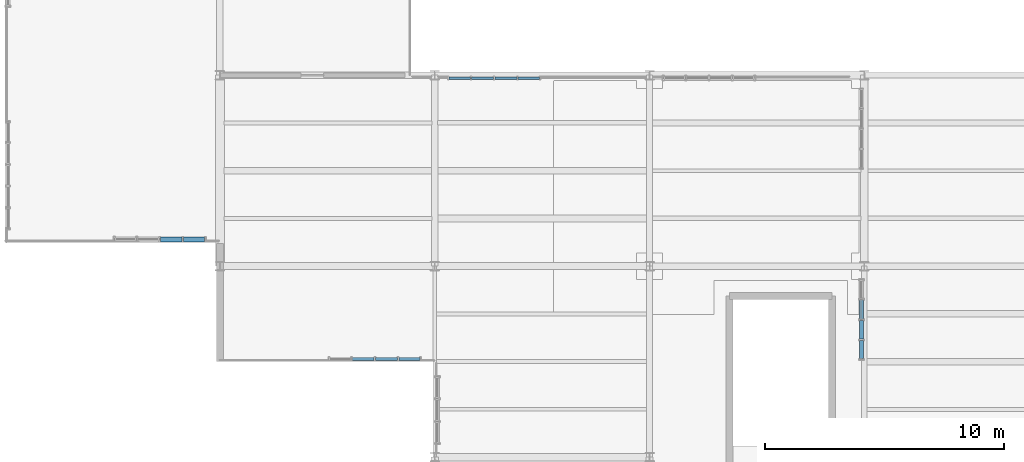
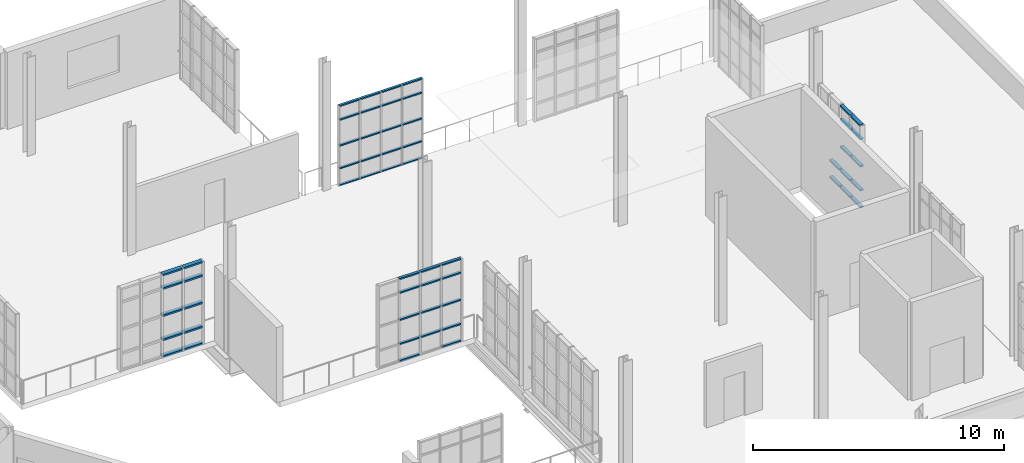
# One storey, part 81 of 118: 56 members, 4 elements without a shape of their own.
"""IFC4 building model written with IfcOpenShell, lengths in metres."""

from ifc_helpers import new_model, si_unit, direction, frame, origin, origin_2d, place, context, subcontext, project, spatial, hollow_rectangle, extrude, material, layer, layer_set, material_profile, profile_set, type_object, element, aggregate, save


model = new_model("IFC4")

# Units and contexts
model_context = context("Model", 3, precision=1e-05, world=origin(), true_north=direction((0.0, 1.0)))
body_context = subcontext(model_context, "Body", "Model", "MODEL_VIEW")
ifc_project = project(units=[si_unit("LENGTHUNIT", "METRE"), si_unit("AREAUNIT", "SQUARE_METRE"), si_unit("VOLUMEUNIT", "CUBIC_METRE"), si_unit("PLANEANGLEUNIT", "RADIAN"), si_unit("MASSUNIT", "GRAM", prefix="KILO"), si_unit("THERMODYNAMICTEMPERATUREUNIT", "KELVIN"), si_unit("POWERUNIT", "WATT")], contexts=[model_context])

# Site, building, storey
site_placement = place(None, origin())
site = spatial("IfcSite", under=ifc_project, at=site_placement, CompositionType="ELEMENT")
building_placement = place(site_placement, origin())
building = spatial("IfcBuilding", under=site, at=building_placement, Name="Zelmaris Science Centre", CompositionType="ELEMENT")
storey_placement = place(building_placement, frame((0.0, 0.0, 15.60009765625)))
storey = spatial("IfcBuildingStorey", under=building, at=storey_placement, Name="L03", CompositionType="ELEMENT", Elevation=15.60009765625)

# Curtain wall, members
ifc_material = material(Name="Anodised architectural aluminium 6063-T6", Category="aluminium")
ifc_layer_1 = layer(ifc_material, 0.219970703125, Name="Anodised architectural aluminium 6063-T6")
ifc_layer_set_1 = layer_set([ifc_layer_1], Name="Anodised architectural aluminium 6063-T6")
curtain_wall_type_1 = type_object("IfcCurtainWallType", Name="Curtain Wall CW-04", PredefinedType="USERDEFINED", material=ifc_layer_set_1)
curtain_wall_1_placement = place(storey_placement, origin())
curtain_wall_1 = element("IfcCurtainWall", 1, at=curtain_wall_1_placement, inside=storey, type_object=curtain_wall_type_1, Name="L03 Unitised curtain wall 292", ObjectType="GLAZED CURTAIN WALL", PredefinedType="USERDEFINED")
ifc_material_profile_1 = material_profile(ifc_material, hollow_rectangle(XDim=0.06005859375, YDim=0.110107421875, WallThickness=0.0029296875, at=origin_2d()), Name="ALU-TRN-60X110")
ifc_profile_set_1 = profile_set([ifc_material_profile_1], Name="Anodised architectural aluminium 6063-T6")
member_type_1 = type_object("IfcMemberType", Name="ALU-TRN-60X110", PredefinedType="USERDEFINED", material=ifc_profile_set_1)
member_1_placement = place(storey_placement, frame((117.592041015625, 55.8798828125, 0.010986328125), z_axis=(1.0, 0.0, 0.0), x_axis=(0.0, 0.0, 1.0)))
member_1 = element("IfcMember", 2, at=member_1_placement, type_object=member_type_1, Name="CW-04 transom 1.1", ObjectType="TRANSOM", PredefinedType="USERDEFINED", context=body_context, shape_type="SweptSolid", body=[
    extrude(hollow_rectangle(XDim=0.06005859375, YDim=0.110107421875, WallThickness=0.0029296875, at=origin_2d()), origin(), (0.0, 0.0, 1.0), 0.89697265625),
])
member_2_placement = place(storey_placement, frame((117.592041015625, 55.8798828125, 0.8349609375), z_axis=(1.0, 0.0, 0.0), x_axis=(0.0, 0.0, 1.0)))
member_2 = element("IfcMember", 3, at=member_2_placement, type_object=member_type_1, Name="CW-04 transom 1.2", ObjectType="TRANSOM", PredefinedType="USERDEFINED", context=body_context, shape_type="SweptSolid", body=[
    extrude(hollow_rectangle(XDim=0.06005859375, YDim=0.110107421875, WallThickness=0.0029296875, at=origin_2d()), origin(), (0.0, 0.0, 1.0), 0.89697265625),
])
member_3_placement = place(storey_placement, frame((117.592041015625, 55.8798828125, 1.94384765625), z_axis=(1.0, 0.0, 0.0), x_axis=(0.0, 0.0, 1.0)))
member_3 = element("IfcMember", 4, at=member_3_placement, type_object=member_type_1, Name="CW-04 transom 1.3", ObjectType="TRANSOM", PredefinedType="USERDEFINED", context=body_context, shape_type="SweptSolid", body=[
    extrude(hollow_rectangle(XDim=0.06005859375, YDim=0.110107421875, WallThickness=0.0029296875, at=origin_2d()), origin(), (0.0, 0.0, 1.0), 0.89697265625),
])
member_4_placement = place(storey_placement, frame((117.592041015625, 55.8798828125, 3.202880859375), z_axis=(1.0, 0.0, 0.0), x_axis=(0.0, 0.0, 1.0)))
member_4 = element("IfcMember", 5, at=member_4_placement, type_object=member_type_1, Name="CW-04 transom 1.4", ObjectType="TRANSOM", PredefinedType="USERDEFINED", context=body_context, shape_type="SweptSolid", body=[
    extrude(hollow_rectangle(XDim=0.06005859375, YDim=0.110107421875, WallThickness=0.0029296875, at=origin_2d()), origin(), (0.0, 0.0, 1.0), 0.89697265625),
])
member_5_placement = place(storey_placement, frame((117.592041015625, 55.8798828125, 3.876953125), z_axis=(1.0, 0.0, 0.0), x_axis=(0.0, 0.0, 1.0)))
member_5 = element("IfcMember", 6, at=member_5_placement, type_object=member_type_1, Name="CW-04 transom 1.5", ObjectType="TRANSOM", PredefinedType="USERDEFINED", context=body_context, shape_type="SweptSolid", body=[
    extrude(hollow_rectangle(XDim=0.06005859375, YDim=0.110107421875, WallThickness=0.0029296875, at=origin_2d()), origin(), (0.0, 0.0, 1.0), 0.89697265625),
])
member_6_placement = place(storey_placement, frame((118.541015625, 55.8798828125, 0.010986328125), z_axis=(1.0, 0.0, 0.0), x_axis=(0.0, 0.0, 1.0)))
member_6 = element("IfcMember", 7, at=member_6_placement, type_object=member_type_1, Name="CW-04 transom 2.1", ObjectType="TRANSOM", PredefinedType="USERDEFINED", context=body_context, shape_type="SweptSolid", body=[
    extrude(hollow_rectangle(XDim=0.06005859375, YDim=0.110107421875, WallThickness=0.0029296875, at=origin_2d()), origin(), (0.0, 0.0, 1.0), 0.923095703125),
])
member_7_placement = place(storey_placement, frame((118.541015625, 55.8798828125, 0.8349609375), z_axis=(1.0, 0.0, 0.0), x_axis=(0.0, 0.0, 1.0)))
member_7 = element("IfcMember", 8, at=member_7_placement, type_object=member_type_1, Name="CW-04 transom 2.2", ObjectType="TRANSOM", PredefinedType="USERDEFINED", context=body_context, shape_type="SweptSolid", body=[
    extrude(hollow_rectangle(XDim=0.06005859375, YDim=0.110107421875, WallThickness=0.0029296875, at=origin_2d()), origin(), (0.0, 0.0, 1.0), 0.923095703125),
])
member_8_placement = place(storey_placement, frame((118.541015625, 55.8798828125, 1.94384765625), z_axis=(1.0, 0.0, 0.0), x_axis=(0.0, 0.0, 1.0)))
member_8 = element("IfcMember", 9, at=member_8_placement, type_object=member_type_1, Name="CW-04 transom 2.3", ObjectType="TRANSOM", PredefinedType="USERDEFINED", context=body_context, shape_type="SweptSolid", body=[
    extrude(hollow_rectangle(XDim=0.06005859375, YDim=0.110107421875, WallThickness=0.0029296875, at=origin_2d()), origin(), (0.0, 0.0, 1.0), 0.923095703125),
])
member_9_placement = place(storey_placement, frame((118.541015625, 55.8798828125, 3.202880859375), z_axis=(1.0, 0.0, 0.0), x_axis=(0.0, 0.0, 1.0)))
member_9 = element("IfcMember", 10, at=member_9_placement, type_object=member_type_1, Name="CW-04 transom 2.4", ObjectType="TRANSOM", PredefinedType="USERDEFINED", context=body_context, shape_type="SweptSolid", body=[
    extrude(hollow_rectangle(XDim=0.06005859375, YDim=0.110107421875, WallThickness=0.0029296875, at=origin_2d()), origin(), (0.0, 0.0, 1.0), 0.923095703125),
])
member_10_placement = place(storey_placement, frame((118.541015625, 55.8798828125, 3.876953125), z_axis=(1.0, 0.0, 0.0), x_axis=(0.0, 0.0, 1.0)))
member_10 = element("IfcMember", 11, at=member_10_placement, type_object=member_type_1, Name="CW-04 transom 2.5", ObjectType="TRANSOM", PredefinedType="USERDEFINED", context=body_context, shape_type="SweptSolid", body=[
    extrude(hollow_rectangle(XDim=0.06005859375, YDim=0.110107421875, WallThickness=0.0029296875, at=origin_2d()), origin(), (0.0, 0.0, 1.0), 0.923095703125),
])
member_11_placement = place(storey_placement, frame((119.51611328125, 55.8798828125, 0.010986328125), z_axis=(1.0, 0.0, 0.0), x_axis=(0.0, 0.0, 1.0)))
member_11 = element("IfcMember", 12, at=member_11_placement, type_object=member_type_1, Name="CW-04 transom 3.1", ObjectType="TRANSOM", PredefinedType="USERDEFINED", context=body_context, shape_type="SweptSolid", body=[
    extrude(hollow_rectangle(XDim=0.06005859375, YDim=0.110107421875, WallThickness=0.0029296875, at=origin_2d()), origin(), (0.0, 0.0, 1.0), 0.9228515625),
])
member_12_placement = place(storey_placement, frame((119.51611328125, 55.8798828125, 0.8349609375), z_axis=(1.0, 0.0, 0.0), x_axis=(0.0, 0.0, 1.0)))
member_12 = element("IfcMember", 13, at=member_12_placement, type_object=member_type_1, Name="CW-04 transom 3.2", ObjectType="TRANSOM", PredefinedType="USERDEFINED", context=body_context, shape_type="SweptSolid", body=[
    extrude(hollow_rectangle(XDim=0.06005859375, YDim=0.110107421875, WallThickness=0.0029296875, at=origin_2d()), origin(), (0.0, 0.0, 1.0), 0.9228515625),
])
member_13_placement = place(storey_placement, frame((119.51611328125, 55.8798828125, 1.94384765625), z_axis=(1.0, 0.0, 0.0), x_axis=(0.0, 0.0, 1.0)))
member_13 = element("IfcMember", 14, at=member_13_placement, type_object=member_type_1, Name="CW-04 transom 3.3", ObjectType="TRANSOM", PredefinedType="USERDEFINED", context=body_context, shape_type="SweptSolid", body=[
    extrude(hollow_rectangle(XDim=0.06005859375, YDim=0.110107421875, WallThickness=0.0029296875, at=origin_2d()), origin(), (0.0, 0.0, 1.0), 0.9228515625),
])
member_14_placement = place(storey_placement, frame((119.51611328125, 55.8798828125, 3.202880859375), z_axis=(1.0, 0.0, 0.0), x_axis=(0.0, 0.0, 1.0)))
member_14 = element("IfcMember", 15, at=member_14_placement, type_object=member_type_1, Name="CW-04 transom 3.4", ObjectType="TRANSOM", PredefinedType="USERDEFINED", context=body_context, shape_type="SweptSolid", body=[
    extrude(hollow_rectangle(XDim=0.06005859375, YDim=0.110107421875, WallThickness=0.0029296875, at=origin_2d()), origin(), (0.0, 0.0, 1.0), 0.9228515625),
])
member_15_placement = place(storey_placement, frame((119.51611328125, 55.8798828125, 3.876953125), z_axis=(1.0, 0.0, 0.0), x_axis=(0.0, 0.0, 1.0)))
member_15 = element("IfcMember", 16, at=member_15_placement, type_object=member_type_1, Name="CW-04 transom 3.5", ObjectType="TRANSOM", PredefinedType="USERDEFINED", context=body_context, shape_type="SweptSolid", body=[
    extrude(hollow_rectangle(XDim=0.06005859375, YDim=0.110107421875, WallThickness=0.0029296875, at=origin_2d()), origin(), (0.0, 0.0, 1.0), 0.9228515625),
])
member_16_placement = place(storey_placement, frame((120.490966796875, 55.8798828125, 0.010986328125), z_axis=(1.0, 0.0, 0.0), x_axis=(0.0, 0.0, 1.0)))
member_16 = element("IfcMember", 17, at=member_16_placement, type_object=member_type_1, Name="CW-04 transom 4.1", ObjectType="TRANSOM", PredefinedType="USERDEFINED", context=body_context, shape_type="SweptSolid", body=[
    extrude(hollow_rectangle(XDim=0.06005859375, YDim=0.110107421875, WallThickness=0.0029296875, at=origin_2d()), origin(), (0.0, 0.0, 1.0), 0.89697265625),
])
member_17_placement = place(storey_placement, frame((120.490966796875, 55.8798828125, 0.8349609375), z_axis=(1.0, 0.0, 0.0), x_axis=(0.0, 0.0, 1.0)))
member_17 = element("IfcMember", 18, at=member_17_placement, type_object=member_type_1, Name="CW-04 transom 4.2", ObjectType="TRANSOM", PredefinedType="USERDEFINED", context=body_context, shape_type="SweptSolid", body=[
    extrude(hollow_rectangle(XDim=0.06005859375, YDim=0.110107421875, WallThickness=0.0029296875, at=origin_2d()), origin(), (0.0, 0.0, 1.0), 0.89697265625),
])
member_18_placement = place(storey_placement, frame((120.490966796875, 55.8798828125, 1.94384765625), z_axis=(1.0, 0.0, 0.0), x_axis=(0.0, 0.0, 1.0)))
member_18 = element("IfcMember", 19, at=member_18_placement, type_object=member_type_1, Name="CW-04 transom 4.3", ObjectType="TRANSOM", PredefinedType="USERDEFINED", context=body_context, shape_type="SweptSolid", body=[
    extrude(hollow_rectangle(XDim=0.06005859375, YDim=0.110107421875, WallThickness=0.0029296875, at=origin_2d()), origin(), (0.0, 0.0, 1.0), 0.89697265625),
])
member_19_placement = place(storey_placement, frame((120.490966796875, 55.8798828125, 3.202880859375), z_axis=(1.0, 0.0, 0.0), x_axis=(0.0, 0.0, 1.0)))
member_19 = element("IfcMember", 20, at=member_19_placement, type_object=member_type_1, Name="CW-04 transom 4.4", ObjectType="TRANSOM", PredefinedType="USERDEFINED", context=body_context, shape_type="SweptSolid", body=[
    extrude(hollow_rectangle(XDim=0.06005859375, YDim=0.110107421875, WallThickness=0.0029296875, at=origin_2d()), origin(), (0.0, 0.0, 1.0), 0.89697265625),
])
member_20_placement = place(storey_placement, frame((120.490966796875, 55.8798828125, 3.876953125), z_axis=(1.0, 0.0, 0.0), x_axis=(0.0, 0.0, 1.0)))
member_20 = element("IfcMember", 21, at=member_20_placement, type_object=member_type_1, Name="CW-04 transom 4.5", ObjectType="TRANSOM", PredefinedType="USERDEFINED", context=body_context, shape_type="SweptSolid", body=[
    extrude(hollow_rectangle(XDim=0.06005859375, YDim=0.110107421875, WallThickness=0.0029296875, at=origin_2d()), origin(), (0.0, 0.0, 1.0), 0.89697265625),
])
aggregate(curtain_wall_1, [member_1, member_2, member_3, member_4, member_5, member_6, member_7, member_8, member_9, member_10, member_11, member_12, member_13, member_14, member_15, member_16, member_17, member_18, member_19, member_20])

ifc_layer_2 = layer(ifc_material, 0.2099609375, Name="Anodised architectural aluminium 6063-T6")
ifc_layer_set_2 = layer_set([ifc_layer_2], Name="Anodised architectural aluminium 6063-T6")
curtain_wall_type_2 = type_object("IfcCurtainWallType", Name="Curtain Wall CW-03", PredefinedType="USERDEFINED", material=ifc_layer_set_2)
curtain_wall_2_placement = place(storey_placement, origin())
curtain_wall_2 = element("IfcCurtainWall", 22, at=curtain_wall_2_placement, inside=storey, type_object=curtain_wall_type_2, Name="L03 Unitised curtain wall 327", ObjectType="GLAZED CURTAIN WALL", PredefinedType="USERDEFINED")
ifc_material_profile_2 = material_profile(ifc_material, hollow_rectangle(XDim=0.06494140625, YDim=0.1298828125, WallThickness=0.00341796875, at=origin_2d()), Name="ALU-TRN-65X130")
ifc_profile_set_2 = profile_set([ifc_material_profile_2], Name="Anodised architectural aluminium 6063-T6")
member_type_2 = type_object("IfcMemberType", Name="ALU-TRN-65X130", PredefinedType="USERDEFINED", material=ifc_profile_set_2)
member_21_placement = place(storey_placement, frame((116.38134765625, 44.107177734375, 0.013427734375), z_axis=(-0.99999863548, 0.001651980125, 0.0), x_axis=(0.0, 0.0, 1.0)))
member_21 = element("IfcMember", 23, at=member_21_placement, type_object=member_type_2, Name="CW-03 transom 1.1", ObjectType="TRANSOM", PredefinedType="USERDEFINED", context=body_context, shape_type="SweptSolid", body=[
    extrude(hollow_rectangle(XDim=0.06494140625, YDim=0.1298828125, WallThickness=0.00341796875, at=origin_2d()), origin(), (0.0, 0.0, 1.0), 0.88671875),
])
member_22_placement = place(storey_placement, frame((116.38134765625, 44.107177734375, 0.8349609375), z_axis=(-0.99999863548, 0.001651980125, 0.0), x_axis=(0.0, 0.0, 1.0)))
member_22 = element("IfcMember", 24, at=member_22_placement, type_object=member_type_2, Name="CW-03 transom 1.2", ObjectType="TRANSOM", PredefinedType="USERDEFINED", context=body_context, shape_type="SweptSolid", body=[
    extrude(hollow_rectangle(XDim=0.06494140625, YDim=0.1298828125, WallThickness=0.00341796875, at=origin_2d()), origin(), (0.0, 0.0, 1.0), 0.88671875),
])
member_23_placement = place(storey_placement, frame((116.38134765625, 44.107177734375, 2.00732421875), z_axis=(-0.99999863548, 0.001651980125, 0.0), x_axis=(0.0, 0.0, 1.0)))
member_23 = element("IfcMember", 25, at=member_23_placement, type_object=member_type_2, Name="CW-03 transom 1.3", ObjectType="TRANSOM", PredefinedType="USERDEFINED", context=body_context, shape_type="SweptSolid", body=[
    extrude(hollow_rectangle(XDim=0.06494140625, YDim=0.1298828125, WallThickness=0.00341796875, at=origin_2d()), origin(), (0.0, 0.0, 1.0), 0.88671875),
])
member_24_placement = place(storey_placement, frame((116.38134765625, 44.107177734375, 3.329833984375), z_axis=(-0.99999863548, 0.001651980125, 0.0), x_axis=(0.0, 0.0, 1.0)))
member_24 = element("IfcMember", 26, at=member_24_placement, type_object=member_type_2, Name="CW-03 transom 1.4", ObjectType="TRANSOM", PredefinedType="USERDEFINED", context=body_context, shape_type="SweptSolid", body=[
    extrude(hollow_rectangle(XDim=0.06494140625, YDim=0.1298828125, WallThickness=0.00341796875, at=origin_2d()), origin(), (0.0, 0.0, 1.0), 0.88671875),
])
member_25_placement = place(storey_placement, frame((116.38134765625, 44.107177734375, 4.00146484375), z_axis=(-0.99999863548, 0.001651980125, 0.0), x_axis=(0.0, 0.0, 1.0)))
member_25 = element("IfcMember", 27, at=member_25_placement, type_object=member_type_2, Name="CW-03 transom 1.5", ObjectType="TRANSOM", PredefinedType="USERDEFINED", context=body_context, shape_type="SweptSolid", body=[
    extrude(hollow_rectangle(XDim=0.06494140625, YDim=0.1298828125, WallThickness=0.00341796875, at=origin_2d()), origin(), (0.0, 0.0, 1.0), 0.88671875),
])
member_26_placement = place(storey_placement, frame((115.4375, 44.108642578125, 0.8349609375), z_axis=(-0.99999871932, 0.001600424731, 0.0), x_axis=(0.0, 0.0, 1.0)))
member_26 = element("IfcMember", 28, at=member_26_placement, type_object=member_type_2, Name="CW-03 transom 2.2", ObjectType="TRANSOM", PredefinedType="USERDEFINED", context=body_context, shape_type="SweptSolid", body=[
    extrude(hollow_rectangle(XDim=0.06494140625, YDim=0.1298828125, WallThickness=0.00341796875, at=origin_2d()), origin(), (0.0, 0.0, 1.0), 0.915283203125),
])
member_27_placement = place(storey_placement, frame((115.4375, 44.108642578125, 2.00732421875), z_axis=(-0.99999871932, 0.001600424731, 0.0), x_axis=(0.0, 0.0, 1.0)))
member_27 = element("IfcMember", 29, at=member_27_placement, type_object=member_type_2, Name="CW-03 transom 2.3", ObjectType="TRANSOM", PredefinedType="USERDEFINED", context=body_context, shape_type="SweptSolid", body=[
    extrude(hollow_rectangle(XDim=0.06494140625, YDim=0.1298828125, WallThickness=0.00341796875, at=origin_2d()), origin(), (0.0, 0.0, 1.0), 0.915283203125),
])
member_28_placement = place(storey_placement, frame((115.4375, 44.108642578125, 3.329833984375), z_axis=(-0.99999871932, 0.001600424731, 0.0), x_axis=(0.0, 0.0, 1.0)))
member_28 = element("IfcMember", 30, at=member_28_placement, type_object=member_type_2, Name="CW-03 transom 2.4", ObjectType="TRANSOM", PredefinedType="USERDEFINED", context=body_context, shape_type="SweptSolid", body=[
    extrude(hollow_rectangle(XDim=0.06494140625, YDim=0.1298828125, WallThickness=0.00341796875, at=origin_2d()), origin(), (0.0, 0.0, 1.0), 0.915283203125),
])
member_29_placement = place(storey_placement, frame((115.4375, 44.108642578125, 4.00146484375), z_axis=(-0.99999871932, 0.001600424731, 0.0), x_axis=(0.0, 0.0, 1.0)))
member_29 = element("IfcMember", 31, at=member_29_placement, type_object=member_type_2, Name="CW-03 transom 2.5", ObjectType="TRANSOM", PredefinedType="USERDEFINED", context=body_context, shape_type="SweptSolid", body=[
    extrude(hollow_rectangle(XDim=0.06494140625, YDim=0.1298828125, WallThickness=0.00341796875, at=origin_2d()), origin(), (0.0, 0.0, 1.0), 0.915283203125),
])
member_30_placement = place(storey_placement, frame((114.46533203125, 44.110107421875, 0.013427734375), z_axis=(-0.99999871932, 0.001600424731, 0.0), x_axis=(0.0, 0.0, 1.0)))
member_30 = element("IfcMember", 32, at=member_30_placement, type_object=member_type_2, Name="CW-03 transom 3.1", ObjectType="TRANSOM", PredefinedType="USERDEFINED", context=body_context, shape_type="SweptSolid", body=[
    extrude(hollow_rectangle(XDim=0.06494140625, YDim=0.1298828125, WallThickness=0.00341796875, at=origin_2d()), origin(), (0.0, 0.0, 1.0), 0.915283203125),
])
member_31_placement = place(storey_placement, frame((114.46533203125, 44.110107421875, 0.8349609375), z_axis=(-0.99999871932, 0.001600424731, 0.0), x_axis=(0.0, 0.0, 1.0)))
member_31 = element("IfcMember", 33, at=member_31_placement, type_object=member_type_2, Name="CW-03 transom 3.2", ObjectType="TRANSOM", PredefinedType="USERDEFINED", context=body_context, shape_type="SweptSolid", body=[
    extrude(hollow_rectangle(XDim=0.06494140625, YDim=0.1298828125, WallThickness=0.00341796875, at=origin_2d()), origin(), (0.0, 0.0, 1.0), 0.915283203125),
])
member_32_placement = place(storey_placement, frame((114.46533203125, 44.110107421875, 2.00732421875), z_axis=(-0.99999871932, 0.001600424731, 0.0), x_axis=(0.0, 0.0, 1.0)))
member_32 = element("IfcMember", 34, at=member_32_placement, type_object=member_type_2, Name="CW-03 transom 3.3", ObjectType="TRANSOM", PredefinedType="USERDEFINED", context=body_context, shape_type="SweptSolid", body=[
    extrude(hollow_rectangle(XDim=0.06494140625, YDim=0.1298828125, WallThickness=0.00341796875, at=origin_2d()), origin(), (0.0, 0.0, 1.0), 0.915283203125),
])
member_33_placement = place(storey_placement, frame((114.46533203125, 44.110107421875, 3.329833984375), z_axis=(-0.99999871932, 0.001600424731, 0.0), x_axis=(0.0, 0.0, 1.0)))
member_33 = element("IfcMember", 35, at=member_33_placement, type_object=member_type_2, Name="CW-03 transom 3.4", ObjectType="TRANSOM", PredefinedType="USERDEFINED", context=body_context, shape_type="SweptSolid", body=[
    extrude(hollow_rectangle(XDim=0.06494140625, YDim=0.1298828125, WallThickness=0.00341796875, at=origin_2d()), origin(), (0.0, 0.0, 1.0), 0.915283203125),
])
member_34_placement = place(storey_placement, frame((114.46533203125, 44.110107421875, 4.00146484375), z_axis=(-0.99999871932, 0.001600424731, 0.0), x_axis=(0.0, 0.0, 1.0)))
member_34 = element("IfcMember", 36, at=member_34_placement, type_object=member_type_2, Name="CW-03 transom 3.5", ObjectType="TRANSOM", PredefinedType="USERDEFINED", context=body_context, shape_type="SweptSolid", body=[
    extrude(hollow_rectangle(XDim=0.06494140625, YDim=0.1298828125, WallThickness=0.00341796875, at=origin_2d()), origin(), (0.0, 0.0, 1.0), 0.915283203125),
])
aggregate(curtain_wall_2, [member_21, member_22, member_23, member_24, member_25, member_26, member_27, member_28, member_29, member_30, member_31, member_32, member_33, member_34])

ifc_layer_3 = layer(ifc_material, 0.199951171875, Name="Anodised architectural aluminium 6063-T6")
ifc_layer_set_3 = layer_set([ifc_layer_3], Name="Anodised architectural aluminium 6063-T6")
curtain_wall_type_3 = type_object("IfcCurtainWallType", Name="Curtain Wall CW-02", PredefinedType="USERDEFINED", material=ifc_layer_set_3)
curtain_wall_3_placement = place(storey_placement, origin())
curtain_wall_3 = element("IfcCurtainWall", 37, at=curtain_wall_3_placement, inside=storey, type_object=curtain_wall_type_3, Name="L03 Unitised curtain wall 298", ObjectType="GLAZED CURTAIN WALL", PredefinedType="USERDEFINED")
ifc_material_profile_3 = material_profile(ifc_material, hollow_rectangle(XDim=0.074951171875, YDim=0.159912109375, WallThickness=0.00390625, at=origin_2d()), Name="ALU-TRN-75X160")
ifc_profile_set_3 = profile_set([ifc_material_profile_3], Name="Anodised architectural aluminium 6063-T6")
member_type_3 = type_object("IfcMemberType", Name="ALU-TRN-75X160", PredefinedType="USERDEFINED", material=ifc_profile_set_3)
member_35_placement = place(storey_placement, frame((134.8798828125, 46.576416015625, 0.018310546875), z_axis=(0.0, -1.0, 0.0), x_axis=(0.0, 0.0, 1.0)))
member_35 = element("IfcMember", 38, at=member_35_placement, type_object=member_type_3, Name="CW-02 transom 2.1", ObjectType="TRANSOM", PredefinedType="USERDEFINED", context=body_context, shape_type="SweptSolid", body=[
    extrude(hollow_rectangle(XDim=0.074951171875, YDim=0.159912109375, WallThickness=0.00390625, at=origin_2d()), origin(), (0.0, 0.0, 1.0), 0.782958984375),
])
member_36_placement = place(storey_placement, frame((134.8798828125, 46.576416015625, 0.8349609375), z_axis=(0.0, -1.0, 0.0), x_axis=(0.0, 0.0, 1.0)))
member_36 = element("IfcMember", 39, at=member_36_placement, type_object=member_type_3, Name="CW-02 transom 2.2", ObjectType="TRANSOM", PredefinedType="USERDEFINED", context=body_context, shape_type="SweptSolid", body=[
    extrude(hollow_rectangle(XDim=0.074951171875, YDim=0.159912109375, WallThickness=0.00390625, at=origin_2d()), origin(), (0.0, 0.0, 1.0), 0.782958984375),
])
member_37_placement = place(storey_placement, frame((134.8798828125, 45.7265625, 0.018310546875), z_axis=(0.0, -1.0, 0.0), x_axis=(0.0, 0.0, 1.0)))
member_37 = element("IfcMember", 40, at=member_37_placement, type_object=member_type_3, Name="CW-02 transom 3.1", ObjectType="TRANSOM", PredefinedType="USERDEFINED", context=body_context, shape_type="SweptSolid", body=[
    extrude(hollow_rectangle(XDim=0.074951171875, YDim=0.159912109375, WallThickness=0.00390625, at=origin_2d()), origin(), (0.0, 0.0, 1.0), 0.782958984375),
])
member_38_placement = place(storey_placement, frame((134.8798828125, 45.7265625, 0.8349609375), z_axis=(0.0, -1.0, 0.0), x_axis=(0.0, 0.0, 1.0)))
member_38 = element("IfcMember", 41, at=member_38_placement, type_object=member_type_3, Name="CW-02 transom 3.2", ObjectType="TRANSOM", PredefinedType="USERDEFINED", context=body_context, shape_type="SweptSolid", body=[
    extrude(hollow_rectangle(XDim=0.074951171875, YDim=0.159912109375, WallThickness=0.00390625, at=origin_2d()), origin(), (0.0, 0.0, 1.0), 0.782958984375),
])
member_39_placement = place(storey_placement, frame((134.8798828125, 45.7265625, 2.00732421875), z_axis=(0.0, -1.0, 0.0), x_axis=(0.0, 0.0, 1.0)))
member_39 = element("IfcMember", 42, at=member_39_placement, type_object=member_type_3, Name="CW-02 transom 3.3", ObjectType="TRANSOM", PredefinedType="USERDEFINED", context=body_context, shape_type="SweptSolid", body=[
    extrude(hollow_rectangle(XDim=0.074951171875, YDim=0.159912109375, WallThickness=0.00390625, at=origin_2d()), origin(), (0.0, 0.0, 1.0), 0.782958984375),
])
member_40_placement = place(storey_placement, frame((134.8798828125, 45.7265625, 3.329833984375), z_axis=(0.0, -1.0, 0.0), x_axis=(0.0, 0.0, 1.0)))
member_40 = element("IfcMember", 43, at=member_40_placement, type_object=member_type_3, Name="CW-02 transom 3.4", ObjectType="TRANSOM", PredefinedType="USERDEFINED", context=body_context, shape_type="SweptSolid", body=[
    extrude(hollow_rectangle(XDim=0.074951171875, YDim=0.159912109375, WallThickness=0.00390625, at=origin_2d()), origin(), (0.0, 0.0, 1.0), 0.782958984375),
])
member_41_placement = place(storey_placement, frame((134.8798828125, 45.7265625, 3.996337890625), z_axis=(0.0, -1.0, 0.0), x_axis=(0.0, 0.0, 1.0)))
member_41 = element("IfcMember", 44, at=member_41_placement, type_object=member_type_3, Name="CW-02 transom 3.5", ObjectType="TRANSOM", PredefinedType="USERDEFINED", context=body_context, shape_type="SweptSolid", body=[
    extrude(hollow_rectangle(XDim=0.074951171875, YDim=0.159912109375, WallThickness=0.00390625, at=origin_2d()), origin(), (0.0, 0.0, 1.0), 0.782958984375),
])
member_42_placement = place(storey_placement, frame((134.8798828125, 44.87646484375, 0.018310546875), z_axis=(0.0, -1.0, 0.0), x_axis=(0.0, 0.0, 1.0)))
member_42 = element("IfcMember", 45, at=member_42_placement, type_object=member_type_3, Name="CW-02 transom 4.1", ObjectType="TRANSOM", PredefinedType="USERDEFINED", context=body_context, shape_type="SweptSolid", body=[
    extrude(hollow_rectangle(XDim=0.074951171875, YDim=0.159912109375, WallThickness=0.00390625, at=origin_2d()), origin(), (0.0, 0.0, 1.0), 0.74951171875),
])
member_43_placement = place(storey_placement, frame((134.8798828125, 44.87646484375, 0.8349609375), z_axis=(0.0, -1.0, 0.0), x_axis=(0.0, 0.0, 1.0)))
member_43 = element("IfcMember", 46, at=member_43_placement, type_object=member_type_3, Name="CW-02 transom 4.2", ObjectType="TRANSOM", PredefinedType="USERDEFINED", context=body_context, shape_type="SweptSolid", body=[
    extrude(hollow_rectangle(XDim=0.074951171875, YDim=0.159912109375, WallThickness=0.00390625, at=origin_2d()), origin(), (0.0, 0.0, 1.0), 0.74951171875),
])
member_44_placement = place(storey_placement, frame((134.8798828125, 44.87646484375, 2.00732421875), z_axis=(0.0, -1.0, 0.0), x_axis=(0.0, 0.0, 1.0)))
member_44 = element("IfcMember", 47, at=member_44_placement, type_object=member_type_3, Name="CW-02 transom 4.3", ObjectType="TRANSOM", PredefinedType="USERDEFINED", context=body_context, shape_type="SweptSolid", body=[
    extrude(hollow_rectangle(XDim=0.074951171875, YDim=0.159912109375, WallThickness=0.00390625, at=origin_2d()), origin(), (0.0, 0.0, 1.0), 0.74951171875),
])
member_45_placement = place(storey_placement, frame((134.8798828125, 44.87646484375, 3.329833984375), z_axis=(0.0, -1.0, 0.0), x_axis=(0.0, 0.0, 1.0)))
member_45 = element("IfcMember", 48, at=member_45_placement, type_object=member_type_3, Name="CW-02 transom 4.4", ObjectType="TRANSOM", PredefinedType="USERDEFINED", context=body_context, shape_type="SweptSolid", body=[
    extrude(hollow_rectangle(XDim=0.074951171875, YDim=0.159912109375, WallThickness=0.00390625, at=origin_2d()), origin(), (0.0, 0.0, 1.0), 0.74951171875),
])
member_46_placement = place(storey_placement, frame((134.8798828125, 44.87646484375, 3.996337890625), z_axis=(0.0, -1.0, 0.0), x_axis=(0.0, 0.0, 1.0)))
member_46 = element("IfcMember", 49, at=member_46_placement, type_object=member_type_3, Name="CW-02 transom 4.5", ObjectType="TRANSOM", PredefinedType="USERDEFINED", context=body_context, shape_type="SweptSolid", body=[
    extrude(hollow_rectangle(XDim=0.074951171875, YDim=0.159912109375, WallThickness=0.00390625, at=origin_2d()), origin(), (0.0, 0.0, 1.0), 0.74951171875),
])
aggregate(curtain_wall_3, [member_35, member_36, member_37, member_38, member_39, member_40, member_41, member_42, member_43, member_44, member_45, member_46])

ifc_layer_4 = layer(ifc_material, 0.18994140625, Name="Anodised architectural aluminium 6063-T6")
ifc_layer_set_4 = layer_set([ifc_layer_4], Name="Anodised architectural aluminium 6063-T6")
curtain_wall_type_4 = type_object("IfcCurtainWallType", Name="Curtain Wall CW-01", PredefinedType="USERDEFINED", material=ifc_layer_set_4)
curtain_wall_4_placement = place(storey_placement, origin())
curtain_wall_4 = element("IfcCurtainWall", 50, at=curtain_wall_4_placement, inside=storey, type_object=curtain_wall_type_4, Name="L03 Unitised curtain wall 329", ObjectType="GLAZED CURTAIN WALL", PredefinedType="USERDEFINED")
ifc_material_profile_4 = material_profile(ifc_material, hollow_rectangle(XDim=0.080078125, YDim=0.18994140625, WallThickness=0.00439453125, at=origin_2d()), Name="ALU-TRN-80X190")
ifc_profile_set_4 = profile_set([ifc_material_profile_4], Name="Anodised architectural aluminium 6063-T6")
member_type_4 = type_object("IfcMemberType", Name="ALU-TRN-80X190", PredefinedType="USERDEFINED", material=ifc_profile_set_4)
member_47_placement = place(storey_placement, frame((107.345458984375, 49.11767578125, 0.02099609375), z_axis=(-0.999999959874, 0.000283286108, 0.0), x_axis=(0.0, 0.0, 1.0)))
member_47 = element("IfcMember", 51, at=member_47_placement, type_object=member_type_4, Name="CW-01 transom 1.1", ObjectType="TRANSOM", PredefinedType="USERDEFINED", context=body_context, shape_type="SweptSolid", body=[
    extrude(hollow_rectangle(XDim=0.080078125, YDim=0.18994140625, WallThickness=0.00439453125, at=origin_2d()), origin(), (0.0, 0.0, 1.0), 0.86181640625),
])
member_48_placement = place(storey_placement, frame((107.345458984375, 49.11767578125, 0.8349609375), z_axis=(-0.999999959874, 0.000283286108, 0.0), x_axis=(0.0, 0.0, 1.0)))
member_48 = element("IfcMember", 52, at=member_48_placement, type_object=member_type_4, Name="CW-01 transom 1.2", ObjectType="TRANSOM", PredefinedType="USERDEFINED", context=body_context, shape_type="SweptSolid", body=[
    extrude(hollow_rectangle(XDim=0.080078125, YDim=0.18994140625, WallThickness=0.00439453125, at=origin_2d()), origin(), (0.0, 0.0, 1.0), 0.86181640625),
])
member_49_placement = place(storey_placement, frame((107.345458984375, 49.11767578125, 2.00732421875), z_axis=(-0.999999959874, 0.000283286108, 0.0), x_axis=(0.0, 0.0, 1.0)))
member_49 = element("IfcMember", 53, at=member_49_placement, type_object=member_type_4, Name="CW-01 transom 1.3", ObjectType="TRANSOM", PredefinedType="USERDEFINED", context=body_context, shape_type="SweptSolid", body=[
    extrude(hollow_rectangle(XDim=0.080078125, YDim=0.18994140625, WallThickness=0.00439453125, at=origin_2d()), origin(), (0.0, 0.0, 1.0), 0.86181640625),
])
member_50_placement = place(storey_placement, frame((107.345458984375, 49.11767578125, 3.329833984375), z_axis=(-0.999999959874, 0.000283286108, 0.0), x_axis=(0.0, 0.0, 1.0)))
member_50 = element("IfcMember", 54, at=member_50_placement, type_object=member_type_4, Name="CW-01 transom 1.4", ObjectType="TRANSOM", PredefinedType="USERDEFINED", context=body_context, shape_type="SweptSolid", body=[
    extrude(hollow_rectangle(XDim=0.080078125, YDim=0.18994140625, WallThickness=0.00439453125, at=origin_2d()), origin(), (0.0, 0.0, 1.0), 0.86181640625),
])
member_51_placement = place(storey_placement, frame((107.345458984375, 49.11767578125, 3.993896484375), z_axis=(-0.999999959874, 0.000283286108, 0.0), x_axis=(0.0, 0.0, 1.0)))
member_51 = element("IfcMember", 55, at=member_51_placement, type_object=member_type_4, Name="CW-01 transom 1.5", ObjectType="TRANSOM", PredefinedType="USERDEFINED", context=body_context, shape_type="SweptSolid", body=[
    extrude(hollow_rectangle(XDim=0.080078125, YDim=0.18994140625, WallThickness=0.00439453125, at=origin_2d()), origin(), (0.0, 0.0, 1.0), 0.86181640625),
])
member_52_placement = place(storey_placement, frame((106.41162109375, 49.117919921875, 0.02099609375), z_axis=(-0.999999962999, 0.00027203481, 0.0), x_axis=(0.0, 0.0, 1.0)))
member_52 = element("IfcMember", 56, at=member_52_placement, type_object=member_type_4, Name="CW-01 transom 2.1", ObjectType="TRANSOM", PredefinedType="USERDEFINED", context=body_context, shape_type="SweptSolid", body=[
    extrude(hollow_rectangle(XDim=0.080078125, YDim=0.18994140625, WallThickness=0.00439453125, at=origin_2d()), origin(), (0.0, 0.0, 1.0), 0.8974609375),
])
member_53_placement = place(storey_placement, frame((106.41162109375, 49.117919921875, 0.8349609375), z_axis=(-0.999999962999, 0.00027203481, 0.0), x_axis=(0.0, 0.0, 1.0)))
member_53 = element("IfcMember", 57, at=member_53_placement, type_object=member_type_4, Name="CW-01 transom 2.2", ObjectType="TRANSOM", PredefinedType="USERDEFINED", context=body_context, shape_type="SweptSolid", body=[
    extrude(hollow_rectangle(XDim=0.080078125, YDim=0.18994140625, WallThickness=0.00439453125, at=origin_2d()), origin(), (0.0, 0.0, 1.0), 0.8974609375),
])
member_54_placement = place(storey_placement, frame((106.41162109375, 49.117919921875, 2.00732421875), z_axis=(-0.999999962999, 0.00027203481, 0.0), x_axis=(0.0, 0.0, 1.0)))
member_54 = element("IfcMember", 58, at=member_54_placement, type_object=member_type_4, Name="CW-01 transom 2.3", ObjectType="TRANSOM", PredefinedType="USERDEFINED", context=body_context, shape_type="SweptSolid", body=[
    extrude(hollow_rectangle(XDim=0.080078125, YDim=0.18994140625, WallThickness=0.00439453125, at=origin_2d()), origin(), (0.0, 0.0, 1.0), 0.8974609375),
])
member_55_placement = place(storey_placement, frame((106.41162109375, 49.117919921875, 3.329833984375), z_axis=(-0.999999962999, 0.00027203481, 0.0), x_axis=(0.0, 0.0, 1.0)))
member_55 = element("IfcMember", 59, at=member_55_placement, type_object=member_type_4, Name="CW-01 transom 2.4", ObjectType="TRANSOM", PredefinedType="USERDEFINED", context=body_context, shape_type="SweptSolid", body=[
    extrude(hollow_rectangle(XDim=0.080078125, YDim=0.18994140625, WallThickness=0.00439453125, at=origin_2d()), origin(), (0.0, 0.0, 1.0), 0.8974609375),
])
member_56_placement = place(storey_placement, frame((106.41162109375, 49.117919921875, 3.993896484375), z_axis=(-0.999999962999, 0.00027203481, 0.0), x_axis=(0.0, 0.0, 1.0)))
member_56 = element("IfcMember", 60, at=member_56_placement, type_object=member_type_4, Name="CW-01 transom 2.5", ObjectType="TRANSOM", PredefinedType="USERDEFINED", context=body_context, shape_type="SweptSolid", body=[
    extrude(hollow_rectangle(XDim=0.080078125, YDim=0.18994140625, WallThickness=0.00439453125, at=origin_2d()), origin(), (0.0, 0.0, 1.0), 0.8974609375),
])
aggregate(curtain_wall_4, [member_47, member_48, member_49, member_50, member_51, member_52, member_53, member_54, member_55, member_56])

save(model, "model.ifc")
